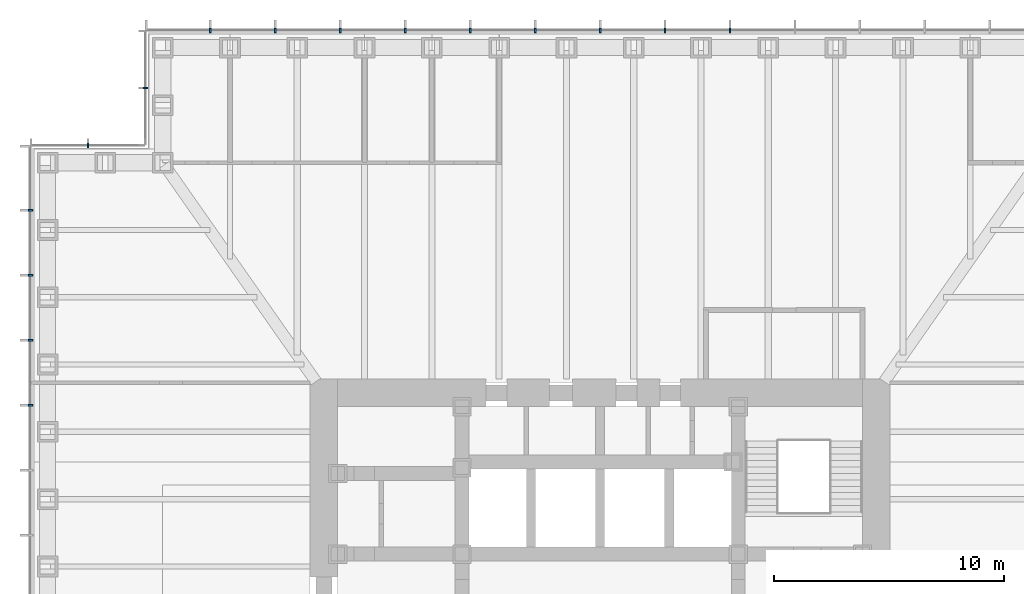
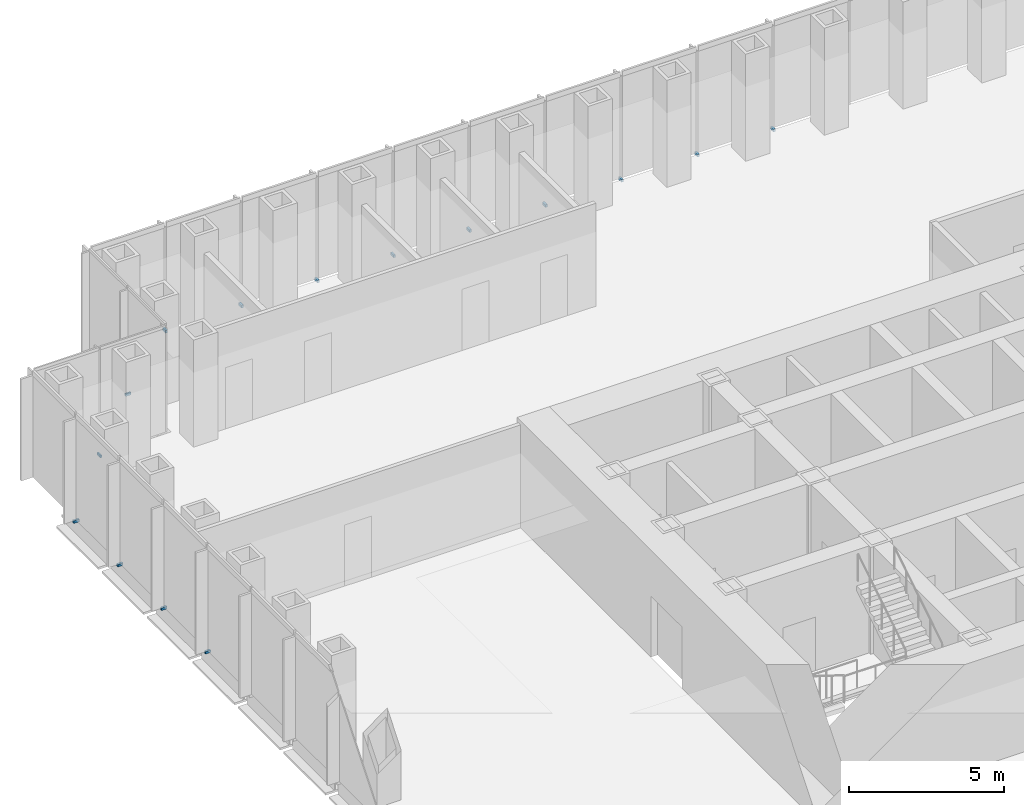
# One storey, part 14 of 16: 15 discrete accessories.
"""IFC4 building model written with IfcOpenShell, lengths in metres."""

from ifc_helpers import new_model, si_unit, direction, frame, origin, origin_2d, place, context, subcontext, project, spatial, rectangle, extrude, element, save


model = new_model("IFC4")

# Units and contexts
model_context = context("Model", 3, precision=1e-05, world=origin(), true_north=direction((0.0, 1.0)))
body_context = subcontext(model_context, "Body", "Model", "MODEL_VIEW")
ifc_project = project(units=[si_unit("LENGTHUNIT", "METRE"), si_unit("AREAUNIT", "SQUARE_METRE"), si_unit("VOLUMEUNIT", "CUBIC_METRE"), si_unit("PLANEANGLEUNIT", "RADIAN"), si_unit("MASSUNIT", "GRAM", prefix="KILO")], contexts=[model_context])

# Site, building, storey
site_placement = place(None, origin())
site = spatial("IfcSite", under=ifc_project, at=site_placement, CompositionType="ELEMENT")
building_placement = place(site_placement, origin())
building = spatial("IfcBuilding", under=site, at=building_placement, Name="Daluyong Arena Tower", CompositionType="ELEMENT")
storey_placement = place(building_placement, frame((0.0, 0.0, 64.300048828125)))
storey = spatial("IfcBuildingStorey", under=building, at=storey_placement, Name="L13", CompositionType="ELEMENT", Elevation=64.300048828125)

# Discrete accessories
for number, where, z_axis, x_axis, name in (
    (1, (61.642822265625, 104.75, -0.10009765625), (0.0, 0.0, 1.0), (-1.0, 0.0, 0.0), "curtain wall L13 N anchor bracket 6"),
    (2, (58.821533203125, 104.75, -0.10009765625), (0.0, 0.0, 1.0), (-1.0, 0.0, 0.0), "curtain wall L13 N anchor bracket 7"),
    (3, (56.0, 104.75, -0.10009765625), (0.0, 0.0, 1.0), (-1.0, 0.0, 0.0), "curtain wall L13 N anchor bracket 8"),
    (4, (53.178466796875, 104.75, -0.10009765625), (0.0, 0.0, 1.0), (-1.0, 0.0, 0.0), "curtain wall L13 N anchor bracket 9"),
    (5, (50.357177734375, 104.75, -0.10009765625), (0.0, 0.0, 1.0), (-1.0, 0.0, 0.0), "curtain wall L13 N anchor bracket 10"),
    (6, (47.53564453125, 104.75, -0.10009765625), (0.0, 0.0, 1.0), (-1.0, 0.0, 0.0), "curtain wall L13 N anchor bracket 11"),
    (7, (44.71435546875, 104.75, -0.10009765625), (0.0, 0.0, 1.0), (-1.0, 0.0, 0.0), "curtain wall L13 N anchor bracket 12"),
    (8, (41.892822265625, 104.75, -0.10009765625), (0.0, 0.0, 1.0), (-1.0, 0.0, 0.0), "curtain wall L13 N anchor bracket 13"),
    (9, (39.071533203125, 104.75, -0.10009765625), (0.0, 0.0, 1.0), (-1.0, 0.0, 0.0), "curtain wall L13 N anchor bracket 14"),
):
    element("IfcDiscreteAccessory", number, at=place(storey_placement, frame(where, z_axis=z_axis, x_axis=x_axis)), inside=storey, Name=name, PredefinedType="BRACKET", context=body_context, shape_type="SweptSolid", body=[
        extrude(rectangle(XDim=0.080078125, YDim=0.199951171875, at=origin_2d()), origin(), (0.0, 0.0, 1.0), 0.10009765625),
    ])
for number, where, z_axis, x_axis, name in (
    (10, (36.25, 102.25, -0.10009765625), (0.0, 0.0, 1.0), (0.0, -1.0, 0.0), "curtain wall L13 NW-W anchor bracket 2"),
    (11, (33.75, 99.75, -0.10009765625), (0.0, 0.0, 1.0), (-1.0, 0.0, 0.0), "curtain wall L13 NW-N anchor bracket 2"),
):
    element("IfcDiscreteAccessory", number, at=place(storey_placement, frame(where, z_axis=z_axis, x_axis=x_axis)), inside=storey, Name=name, PredefinedType="BRACKET", context=body_context, shape_type="SweptSolid", body=[
        extrude(rectangle(XDim=0.06005859375, YDim=0.199951171875, at=origin_2d()), origin(), (0.0, 0.0, 1.0), 0.10009765625),
    ])
for number, where, z_axis, x_axis, name in (
    (12, (31.25, 96.928466796875, -0.10009765625), (0.0, 0.0, 1.0), (0.0, -1.0, 0.0), "curtain wall L13 W anchor bracket 2"),
    (13, (31.25, 94.107177734375, -0.10009765625), (0.0, 0.0, 1.0), (0.0, -1.0, 0.0), "curtain wall L13 W anchor bracket 3"),
    (14, (31.25, 91.28564453125, -0.10009765625), (0.0, 0.0, 1.0), (0.0, -1.0, 0.0), "curtain wall L13 W anchor bracket 4"),
    (15, (31.25, 88.46435546875, -0.10009765625), (0.0, 0.0, 1.0), (0.0, -1.0, 0.0), "curtain wall L13 W anchor bracket 5"),
):
    element("IfcDiscreteAccessory", number, at=place(storey_placement, frame(where, z_axis=z_axis, x_axis=x_axis)), inside=storey, Name=name, PredefinedType="BRACKET", context=body_context, shape_type="SweptSolid", body=[
        extrude(rectangle(XDim=0.080078125, YDim=0.199951171875, at=origin_2d()), origin(), (0.0, 0.0, 1.0), 0.10009765625),
    ])

save(model, "model.ifc")
